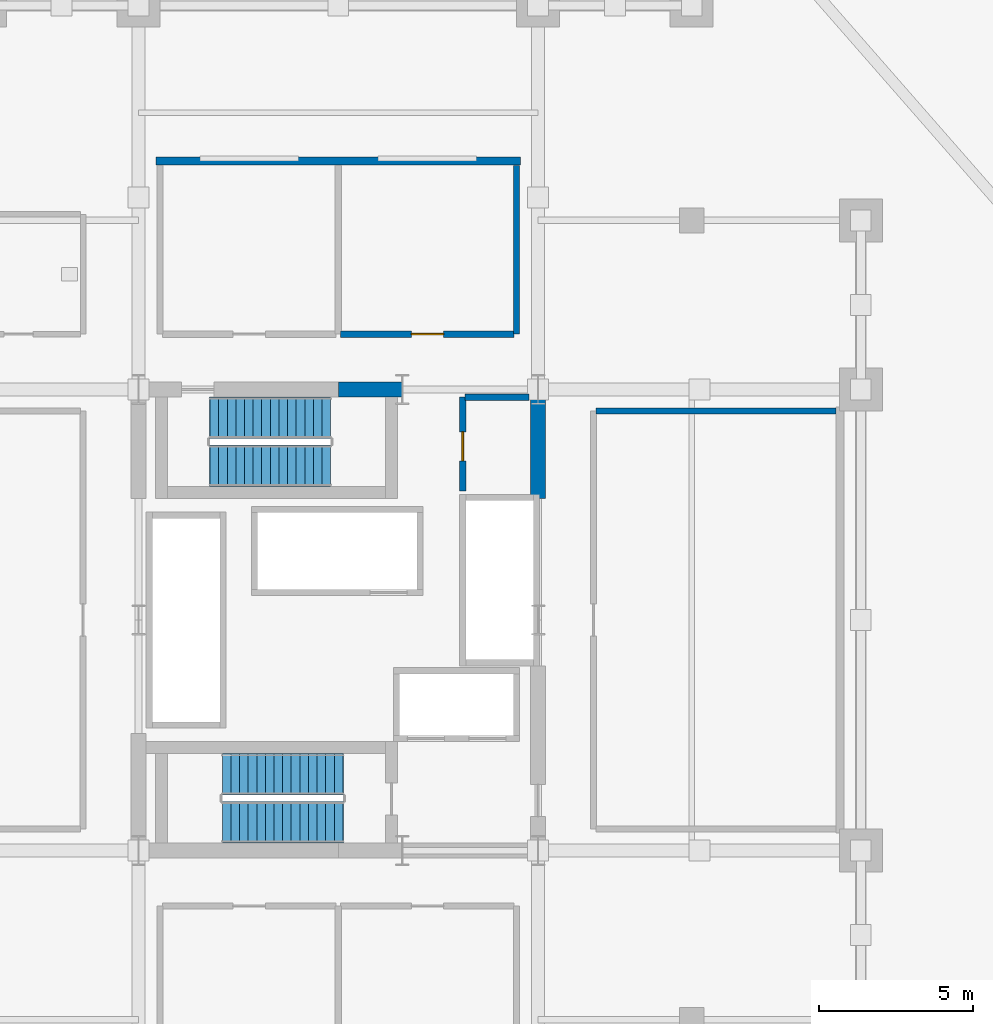
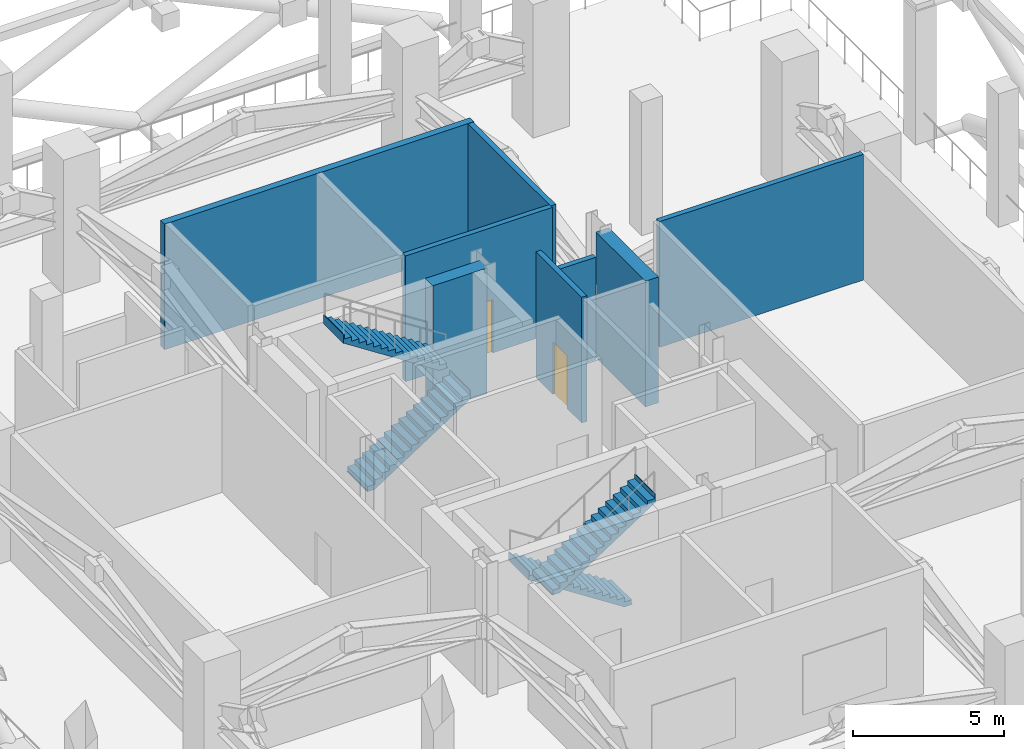
# One storey, part 5 of 9: 8 walls, 4 stair flights, 2 doors, 2 openings, 2 elements without a shape of their own.
"""IFC4 building model written with IfcOpenShell, lengths in metres."""

from ifc_helpers import new_model, si_unit, direction, frame, frame_2d, origin, place, context, subcontext, project, spatial, polyline, rectangle, outline, extrude, material, layer, layer_set, type_object, element, fill, aggregate, save


model = new_model("IFC4")

# Units and contexts
model_context = context("Model", 3, precision=1e-05, world=origin(), true_north=direction((0.0, 1.0)))
body_context = subcontext(model_context, "Body", "Model", "MODEL_VIEW")
ifc_project = project(units=[si_unit("LENGTHUNIT", "METRE"), si_unit("AREAUNIT", "SQUARE_METRE"), si_unit("VOLUMEUNIT", "CUBIC_METRE"), si_unit("PLANEANGLEUNIT", "RADIAN"), si_unit("MASSUNIT", "GRAM", prefix="KILO")], contexts=[model_context])

# Site, building, storey
site_placement = place(None, origin())
site = spatial("IfcSite", under=ifc_project, at=site_placement, CompositionType="ELEMENT")
building_placement = place(site_placement, origin())
building = spatial("IfcBuilding", under=site, at=building_placement, Name="Barlavira Tower and Art Museum", CompositionType="ELEMENT")
storey_placement = place(building_placement, frame((0.0, 0.0, 93.60009765625)))
storey = spatial("IfcBuildingStorey", under=building, at=storey_placement, Name="L23", CompositionType="ELEMENT", Elevation=93.60009765625)

# Walls
ifc_material_1 = material(Name="Concrete C60", Category="concrete")
ifc_layer_1 = layer(ifc_material_1, 0.5, Name="Concrete C60")
ifc_layer_set_1 = layer_set([ifc_layer_1], Name="Concrete C60")
wall_type_1 = type_object("IfcWallType", Name="Core Structural Shear Wall 500 Concrete C60", PredefinedType="SHEAR", material=ifc_layer_set_1)
wall_1_placement = place(storey_placement, frame((0.0, 7.5, 0.0), z_axis=(0.0, 0.0, 1.0), x_axis=(1.0, 0.0, 0.0)))
element("IfcWall", 1, at=wall_1_placement, inside=storey, type_object=wall_type_1, Name="L23 Core Shear Wall CS-EN", PredefinedType="SHEAR", context=body_context, shape_type="SweptSolid", body=[
    extrude(rectangle(XDim=2.080078125, YDim=0.5, at=frame_2d((1.0400390625, 0.0))), origin(), (0.0, 0.0, 1.0), 5.099853515625),
])
wall_2_placement = place(storey_placement, frame((6.5, 3.949951171875, 0.0), z_axis=(0.0, 0.0, 1.0), x_axis=(0.0, 1.0, 0.0)))
element("IfcWall", 2, at=wall_2_placement, inside=storey, type_object=wall_type_1, Name="L23 Core Shear Wall CS-E2", PredefinedType="SHEAR", context=body_context, shape_type="SweptSolid", body=[
    extrude(rectangle(XDim=3.300048828125, YDim=0.5, at=frame_2d((1.64990234375, 0.0))), origin(), (0.0, 0.0, 1.0), 5.099853515625),
])
ifc_material_2 = material(Name="Precast concrete C40", Category="concrete")
ifc_layer_2 = layer(ifc_material_2, 0.260009765625, Name="Precast concrete C40")
ifc_layer_set_2 = layer_set([ifc_layer_2], Name="Precast concrete C40")
wall_type_2 = type_object("IfcWallType", Name="Crown Acoustic Plant Enclosure Wall 260 Precast Concrete C40", PredefinedType="SOLIDWALL", material=ifc_layer_set_2)
wall_3_placement = place(storey_placement, frame((-5.929931640625, 14.929931640625, 0.0), z_axis=(0.0, 0.0, 1.0), x_axis=(1.0, 0.0, 0.0)))
element("IfcWall", 3, at=wall_3_placement, inside=storey, type_object=wall_type_2, Name="L23 Wind-Floor Plant/Refuge Wall N", PredefinedType="SOLIDWALL", context=body_context, shape_type="SweptSolid", body=[
    extrude(rectangle(XDim=11.85986328125, YDim=0.260009765625, at=frame_2d((5.929931640625, 0.0))), origin(), (0.0, 0.0, 1.0), 5.099853515625),
])

# Wall, opening, door
ifc_material_3 = material(Name="Autoclaved aerated concrete masonry", Category="masonry")
ifc_layer_3 = layer(ifc_material_3, 0.199951171875, Name="Autoclaved aerated concrete masonry")
ifc_layer_set_3 = layer_set([ifc_layer_3], Name="Autoclaved aerated concrete masonry")
wall_type_3 = type_object("IfcWallType", Name="Fire Compartment and Shaft Wall 200", PredefinedType="SOLIDWALL", material=ifc_layer_set_3)
wall_4_placement = place(storey_placement, frame((4.050048828125, 4.199951171875, 0.0), z_axis=(0.0, 0.0, 1.0), x_axis=(0.0, 1.0, 0.0)))
wall_4 = element("IfcWall", 4, at=wall_4_placement, inside=storey, type_object=wall_type_3, Name="L23 Partition Wall 8", PredefinedType="SOLIDWALL", context=body_context, shape_type="SweptSolid", body=[
    extrude(rectangle(XDim=3.050048828125, YDim=0.199951171875, at=frame_2d((1.52490234375, 0.0))), origin(), (0.0, 0.0, 1.0), 5.099853515625),
])
opening_1_placement = place(wall_4_placement, frame((0.97509765625, 0.0, 0.0)))
opening_1 = element("IfcOpeningElement", 5, at=opening_1_placement, cuts=wall_4, Name="Opening FD-60", PredefinedType="OPENING", context=body_context, shape_type="SweptSolid", body=[
    extrude(rectangle(XDim=0.949951171875, YDim=2.14990234375, at=frame_2d((0.47509765625, 1.074951171875))), frame((0.0, 0.10986328125, 0.0), z_axis=(0.0, -1.0, 0.0), x_axis=(1.0, 0.0, 0.0)), (0.0, 0.0, 1.0), 0.219970703125),
])
ifc_material_4 = material(Name="Brushed stainless steel", Category="steel")
door_type_1 = type_object("IfcDoorType", Name="Apartment Entrance and Riser Fire Door 950x2150 FD60S", OperationType="NOTDEFINED", PredefinedType="DOOR", material=ifc_material_4)
door_1_placement = place(opening_1_placement, origin())
door_1 = element("IfcDoor", 6, at=door_1_placement, inside=storey, type_object=door_type_1, Name="Combined Electrical and Telecom Plant Room Door", OperationType="SINGLE_SWING_RIGHT", OverallHeight=2.14990234375, OverallWidth=0.949951171875, PredefinedType="DOOR", context=body_context, shape_type="SweptSolid", body=[
    extrude(rectangle(XDim=0.949951171875, YDim=2.14990234375, at=frame_2d((0.47509765625, 1.074951171875))), frame((0.0, 0.02490234375, 0.0), z_axis=(0.0, -1.0, 0.0), x_axis=(1.0, 0.0, 0.0)), (0.0, 0.0, 1.0), 0.050048828125),
])
fill(opening_1, door_1)

# Walls
wall_5_placement = place(storey_placement, frame((5.800048828125, 9.300048828125, 0.0), z_axis=(0.0, 0.0, 1.0), x_axis=(0.0, 1.0, 0.0)))
element("IfcWall", 7, at=wall_5_placement, inside=storey, type_object=wall_type_3, Name="L23 Partition Wall 10", PredefinedType="SOLIDWALL", context=body_context, shape_type="SweptSolid", body=[
    extrude(rectangle(XDim=5.494873046875, YDim=0.199951171875, at=frame_2d((2.74755859375, 0.0))), origin(), (0.0, 0.0, 1.0), 5.099853515625),
])
wall_6_placement = place(storey_placement, frame((8.3798828125, 6.800048828125, 0.0), z_axis=(0.0, 0.0, 1.0), x_axis=(1.0, 0.0, 0.0)))
element("IfcWall", 8, at=wall_6_placement, inside=storey, type_object=wall_type_3, Name="L23 Partition Wall 17", PredefinedType="SOLIDWALL", context=body_context, shape_type="SweptSolid", body=[
    extrude(rectangle(XDim=7.815185546875, YDim=0.199951171875, at=frame_2d((3.90771484375, 0.0))), origin(), (0.0, 0.0, 1.0), 5.099853515625),
])
wall_7_placement = place(storey_placement, frame((4.1298828125, 7.25, 0.0), z_axis=(0.0, 0.0, 1.0), x_axis=(1.0, 0.0, 0.0)))
element("IfcWall", 9, at=wall_7_placement, inside=storey, type_object=wall_type_3, Name="L23 Partition Wall 18", PredefinedType="SOLIDWALL", context=body_context, shape_type="SweptSolid", body=[
    extrude(rectangle(XDim=2.070068359375, YDim=0.199951171875, at=frame_2d((1.03515625, 0.0))), origin(), (0.0, 0.0, 1.0), 4.15283203125),
])

# Wall, opening, door
wall_8_placement = place(storey_placement, frame((0.080078125, 9.300048828125, 0.0), z_axis=(0.0, 0.0, 1.0), x_axis=(1.0, 0.0, 0.0)))
wall_8 = element("IfcWall", 10, at=wall_8_placement, inside=storey, type_object=wall_type_3, Name="L23 Partition Wall 21", PredefinedType="SOLIDWALL", context=body_context, shape_type="SweptSolid", body=[
    extrude(rectangle(XDim=5.639892578125, YDim=0.199951171875, at=frame_2d((2.81982421875, 0.0))), origin(), (0.0, 0.0, 1.0), 5.099853515625),
])
opening_2_placement = place(wall_8_placement, frame((2.294921875, 0.0, 0.0)))
opening_2 = element("IfcOpeningElement", 11, at=opening_2_placement, cuts=wall_8, Name="Opening FD-90", PredefinedType="OPENING", context=body_context, shape_type="SweptSolid", body=[
    extrude(rectangle(XDim=1.050048828125, YDim=2.14990234375, at=frame_2d((0.52490234375, 1.074951171875))), frame((0.0, 0.10986328125, 0.0), z_axis=(0.0, -1.0, 0.0), x_axis=(1.0, 0.0, 0.0)), (0.0, 0.0, 1.0), 0.219970703125),
])
door_type_2 = type_object("IfcDoorType", Name="Stair and Refuge Fire Door 1050x2150 FD90S", OperationType="NOTDEFINED", PredefinedType="DOOR", material=ifc_material_4)
door_2_placement = place(opening_2_placement, origin())
door_2 = element("IfcDoor", 12, at=door_2_placement, inside=storey, type_object=door_type_2, Name="L23 HV Transformer and Switchgear Plant Room Door", OperationType="SINGLE_SWING_RIGHT", OverallHeight=2.14990234375, OverallWidth=1.050048828125, PredefinedType="DOOR", context=body_context, shape_type="SweptSolid", body=[
    extrude(rectangle(XDim=1.050048828125, YDim=2.14990234375, at=frame_2d((0.52490234375, 1.074951171875))), frame((0.0, 0.02490234375, 0.0), z_axis=(0.0, -1.0, 0.0), x_axis=(1.0, 0.0, 0.0)), (0.0, 0.0, 1.0), 0.050048828125),
])
fill(opening_2, door_2)

# Stair, stair flights
ifc_material_5 = material(Name="Concrete C45", Category="concrete")
stair_type_1 = type_object("IfcStairType", Name="Tower North Dog-Leg Exit Stair Assembly Concrete C45", PredefinedType="TWO_QUARTER_TURN_STAIR", material=ifc_material_5)
stair_1_placement = place(storey_placement, origin())
stair_1 = element("IfcStair", 13, at=stair_1_placement, inside=storey, type_object=stair_type_1, Name="L23 Tower North Exit Stair ST-T2", PredefinedType="TWO_QUARTER_TURN_STAIR")
ifc_material_6 = material(Name="Precast concrete C45", Category="concrete")
stair_flight_type_1 = type_object("IfcStairFlightType", Name="Tower North Dog-Leg Exit Stair Precast Flight 1350 Concrete C45", PredefinedType="STRAIGHT", material=ifc_material_6)
stair_flight_1_placement = place(storey_placement, frame((-4.169921875, 5.02490234375, 0.0), z_axis=(0.0, 0.0, 1.0), x_axis=(1.0, 0.0, 0.0)))
stair_flight_1 = element("IfcStairFlight", 14, at=stair_flight_1_placement, type_object=stair_flight_type_1, Name="ST-T2 flight 1", NumberOfRisers=15, NumberOfTreads=14, PredefinedType="STRAIGHT", RiserHeight=0.18, TreadLength=0.28, context=body_context, shape_type="SweptSolid", body=[
    extrude(outline(polyline([(-0.02490234375, 0.0), (0.0, 0.0), (0.0, 0.179931640625), (0.280029296875, 0.179931640625), (0.280029296875, 0.360107421875), (0.56005859375, 0.360107421875), (0.56005859375, 0.5400390625), (0.840087890625, 0.5400390625), (0.840087890625, 0.719970703125), (1.1201171875, 0.719970703125), (1.1201171875, 0.89990234375), (1.39990234375, 0.89990234375), (1.39990234375, 1.080078125), (1.679931640625, 1.080078125), (1.679931640625, 1.260009765625), (1.9599609375, 1.260009765625), (1.9599609375, 1.43994140625), (2.239990234375, 1.43994140625), (2.239990234375, 1.6201171875), (2.52001953125, 1.6201171875), (2.52001953125, 1.800048828125), (2.800048828125, 1.800048828125), (2.800048828125, 1.97998046875), (3.080078125, 1.97998046875), (3.080078125, 2.159912109375), (3.360107421875, 2.159912109375), (3.360107421875, 2.340087890625), (3.639892578125, 2.340087890625), (3.639892578125, 2.52001953125), (3.919921875, 2.52001953125), (3.919921875, 2.699951171875), (3.94482421875, 2.699951171875), (3.94482421875, 2.341796875), (3.919921875, 2.341796875), (0.277099609375, -0.02490234375), (-0.02490234375, -0.02490234375), (-0.02490234375, 0.0)])), frame((0.0, 0.675048828125, 0.0), z_axis=(0.0, -1.0, 0.0), x_axis=(1.0, 0.0, 0.0)), (0.0, 0.0, 1.0), 1.35009765625),
])
stair_flight_2_placement = place(storey_placement, frame((-0.25, 6.574951171875, 2.699951171875), z_axis=(0.0, 0.0, 1.0), x_axis=(-1.0, 0.0, 0.0)))
stair_flight_2 = element("IfcStairFlight", 15, at=stair_flight_2_placement, type_object=stair_flight_type_1, Name="ST-T2 flight 2", NumberOfRisers=15, NumberOfTreads=14, PredefinedType="STRAIGHT", RiserHeight=0.18, TreadLength=0.28, context=body_context, shape_type="SweptSolid", body=[
    extrude(outline(polyline([(-0.02490234375, 0.0), (0.0, 0.0), (0.0, 0.179931640625), (0.280029296875, 0.179931640625), (0.280029296875, 0.360107421875), (0.56005859375, 0.360107421875), (0.56005859375, 0.5400390625), (0.840087890625, 0.5400390625), (0.840087890625, 0.719970703125), (1.1201171875, 0.719970703125), (1.1201171875, 0.89990234375), (1.39990234375, 0.89990234375), (1.39990234375, 1.080078125), (1.679931640625, 1.080078125), (1.679931640625, 1.260009765625), (1.9599609375, 1.260009765625), (1.9599609375, 1.43994140625), (2.239990234375, 1.43994140625), (2.239990234375, 1.6201171875), (2.52001953125, 1.6201171875), (2.52001953125, 1.800048828125), (2.800048828125, 1.800048828125), (2.800048828125, 1.97998046875), (3.080078125, 1.97998046875), (3.080078125, 2.159912109375), (3.360107421875, 2.159912109375), (3.360107421875, 2.340087890625), (3.639892578125, 2.340087890625), (3.639892578125, 2.52001953125), (3.919921875, 2.52001953125), (3.919921875, 2.699951171875), (3.94482421875, 2.699951171875), (3.94482421875, 2.341796875), (3.919921875, 2.341796875), (0.277099609375, -0.02490234375), (-0.02490234375, -0.02490234375), (-0.02490234375, 0.0)])), frame((0.0, 0.675048828125, 0.0), z_axis=(0.0, -1.0, 0.0), x_axis=(1.0, 0.0, 0.0)), (0.0, 0.0, 1.0), 1.35009765625),
])
aggregate(stair_1, [stair_flight_1, stair_flight_2])

stair_type_2 = type_object("IfcStairType", Name="Tower South Dog-Leg Exit Stair Assembly Concrete C45", PredefinedType="TWO_QUARTER_TURN_STAIR", material=ifc_material_5)
stair_2_placement = place(storey_placement, origin())
stair_2 = element("IfcStair", 16, at=stair_2_placement, inside=storey, type_object=stair_type_2, Name="L23 Tower South Exit Stair ST-T1", PredefinedType="TWO_QUARTER_TURN_STAIR")
stair_flight_type_2 = type_object("IfcStairFlightType", Name="Tower South Dog-Leg Exit Stair Precast Flight 1350 Concrete C45", PredefinedType="STRAIGHT", material=ifc_material_6)
stair_flight_3_placement = place(storey_placement, frame((0.14990234375, -5.02490234375, 0.0), z_axis=(0.0, 0.0, 1.0), x_axis=(-1.0, 0.0, 0.0)))
stair_flight_3 = element("IfcStairFlight", 17, at=stair_flight_3_placement, type_object=stair_flight_type_2, Name="ST-T1 flight 1", NumberOfRisers=15, NumberOfTreads=14, PredefinedType="STRAIGHT", RiserHeight=0.18, TreadLength=0.28, context=body_context, shape_type="SweptSolid", body=[
    extrude(outline(polyline([(-0.02490234375, 0.0), (0.0, 0.0), (0.0, 0.179931640625), (0.280029296875, 0.179931640625), (0.280029296875, 0.360107421875), (0.56005859375, 0.360107421875), (0.56005859375, 0.5400390625), (0.840087890625, 0.5400390625), (0.840087890625, 0.719970703125), (1.1201171875, 0.719970703125), (1.1201171875, 0.89990234375), (1.39990234375, 0.89990234375), (1.39990234375, 1.080078125), (1.679931640625, 1.080078125), (1.679931640625, 1.260009765625), (1.9599609375, 1.260009765625), (1.9599609375, 1.43994140625), (2.239990234375, 1.43994140625), (2.239990234375, 1.6201171875), (2.52001953125, 1.6201171875), (2.52001953125, 1.800048828125), (2.800048828125, 1.800048828125), (2.800048828125, 1.97998046875), (3.080078125, 1.97998046875), (3.080078125, 2.159912109375), (3.360107421875, 2.159912109375), (3.360107421875, 2.340087890625), (3.639892578125, 2.340087890625), (3.639892578125, 2.52001953125), (3.919921875, 2.52001953125), (3.919921875, 2.699951171875), (3.94482421875, 2.699951171875), (3.94482421875, 2.341796875), (3.919921875, 2.341796875), (0.277099609375, -0.02490234375), (-0.02490234375, -0.02490234375), (-0.02490234375, 0.0)])), frame((0.0, 0.675048828125, 0.0), z_axis=(0.0, -1.0, 0.0), x_axis=(1.0, 0.0, 0.0)), (0.0, 0.0, 1.0), 1.35009765625),
])
stair_flight_4_placement = place(storey_placement, frame((-3.77001953125, -6.574951171875, 2.699951171875), z_axis=(0.0, 0.0, 1.0), x_axis=(1.0, 0.0, 0.0)))
stair_flight_4 = element("IfcStairFlight", 18, at=stair_flight_4_placement, type_object=stair_flight_type_2, Name="ST-T1 flight 2", NumberOfRisers=15, NumberOfTreads=14, PredefinedType="STRAIGHT", RiserHeight=0.18, TreadLength=0.28, context=body_context, shape_type="SweptSolid", body=[
    extrude(outline(polyline([(-0.02490234375, 0.0), (0.0, 0.0), (0.0, 0.179931640625), (0.280029296875, 0.179931640625), (0.280029296875, 0.360107421875), (0.56005859375, 0.360107421875), (0.56005859375, 0.5400390625), (0.840087890625, 0.5400390625), (0.840087890625, 0.719970703125), (1.1201171875, 0.719970703125), (1.1201171875, 0.89990234375), (1.39990234375, 0.89990234375), (1.39990234375, 1.080078125), (1.679931640625, 1.080078125), (1.679931640625, 1.260009765625), (1.9599609375, 1.260009765625), (1.9599609375, 1.43994140625), (2.239990234375, 1.43994140625), (2.239990234375, 1.6201171875), (2.52001953125, 1.6201171875), (2.52001953125, 1.800048828125), (2.800048828125, 1.800048828125), (2.800048828125, 1.97998046875), (3.080078125, 1.97998046875), (3.080078125, 2.159912109375), (3.360107421875, 2.159912109375), (3.360107421875, 2.340087890625), (3.639892578125, 2.340087890625), (3.639892578125, 2.52001953125), (3.919921875, 2.52001953125), (3.919921875, 2.699951171875), (3.94482421875, 2.699951171875), (3.94482421875, 2.341796875), (3.919921875, 2.341796875), (0.277099609375, -0.02490234375), (-0.02490234375, -0.02490234375), (-0.02490234375, 0.0)])), frame((0.0, 0.675048828125, 0.0), z_axis=(0.0, -1.0, 0.0), x_axis=(1.0, 0.0, 0.0)), (0.0, 0.0, 1.0), 1.35009765625),
])
aggregate(stair_2, [stair_flight_3, stair_flight_4])

save(model, "model.ifc")
